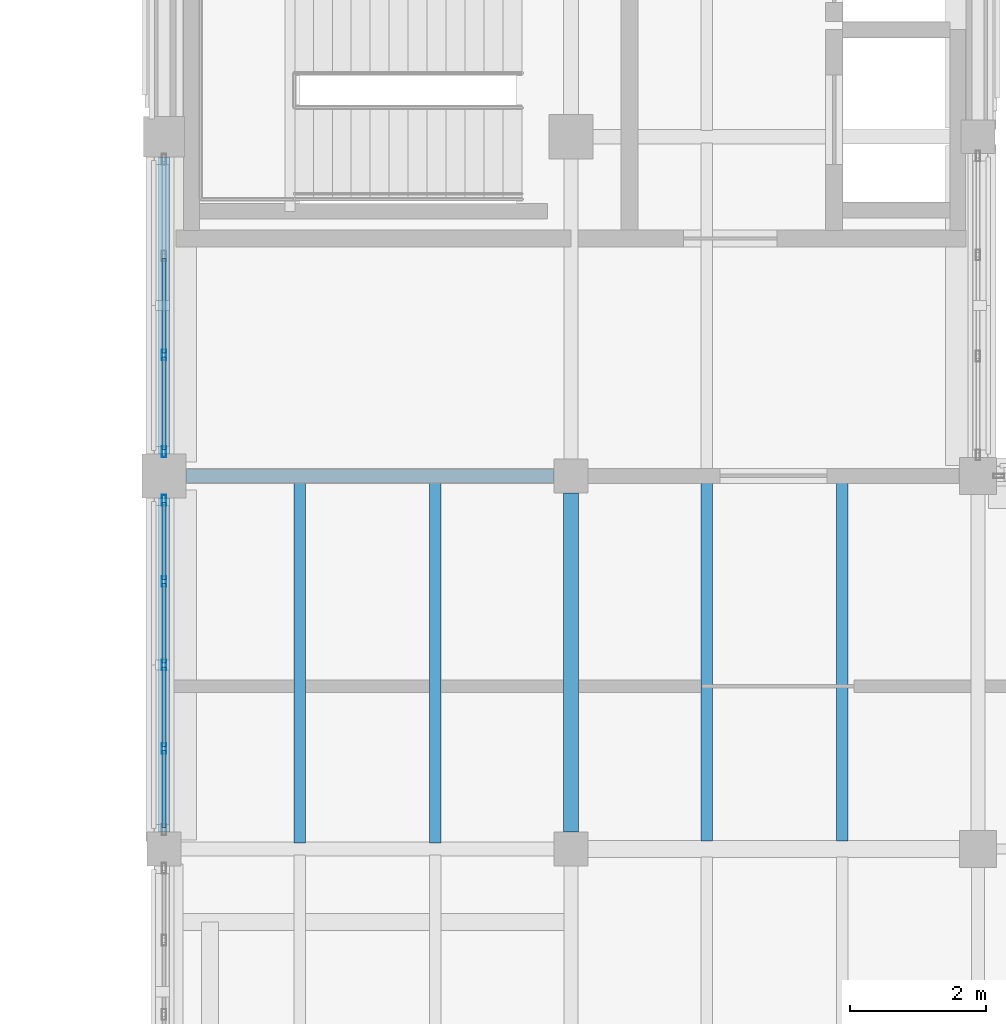
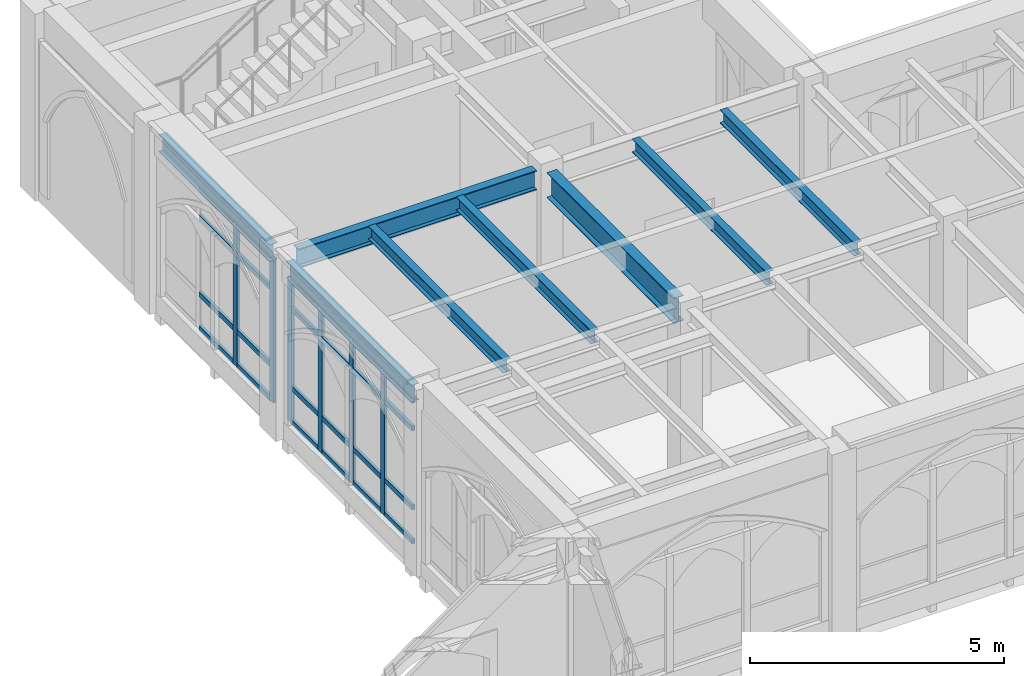
# One storey, part 23 of 143: 30 members, 8 beams, 2 elements without a shape of their own.
"""IFC4 building model written with IfcOpenShell, lengths in metres."""

from ifc_helpers import new_model, si_unit, direction, frame, origin, origin_2d, place, context, subcontext, project, spatial, hollow_rectangle, i_section, extrude, material, layer, layer_set, material_profile, profile_set, type_object, element, aggregate, save


model = new_model("IFC4")

# Units and contexts
model_context = context("Model", 3, precision=1e-05, world=origin(), true_north=direction((0.0, 1.0)))
body_context = subcontext(model_context, "Body", "Model", "MODEL_VIEW")
ifc_project = project(units=[si_unit("LENGTHUNIT", "METRE"), si_unit("AREAUNIT", "SQUARE_METRE"), si_unit("VOLUMEUNIT", "CUBIC_METRE"), si_unit("PLANEANGLEUNIT", "RADIAN"), si_unit("MASSUNIT", "GRAM", prefix="KILO")], contexts=[model_context])

# Site, building, storey
site_placement = place(None, origin())
site = spatial("IfcSite", under=ifc_project, at=site_placement, CompositionType="ELEMENT")
building_placement = place(site_placement, origin())
building = spatial("IfcBuilding", under=site, at=building_placement, Name="Cumevento Cable Car Station", CompositionType="ELEMENT")
storey_placement = place(building_placement, frame((0.0, 0.0, 9.0)))
storey = spatial("IfcBuildingStorey", under=building, at=storey_placement, Name="L03", CompositionType="ELEMENT", Elevation=9.0)

# Curtain wall, members
ifc_material_1 = material(Name="Anodised Bronze Aluminium AW-6063-T6", Category="aluminium")
ifc_layer_1 = layer(ifc_material_1, 0.18994140625)
ifc_layer_set_1 = layer_set([ifc_layer_1], Name="Anodised Bronze Aluminium AW-6063-T6")
curtain_wall_type_1 = type_object("IfcCurtainWallType", Name="Lancet Curtain Wall CW-06 1250", PredefinedType="NOTDEFINED", material=ifc_layer_set_1)
curtain_wall_1_placement = place(storey_placement, origin())
curtain_wall_1 = element("IfcCurtainWall", 1, at=curtain_wall_1_placement, inside=storey, type_object=curtain_wall_type_1, Name="Lancet Curtain Wall CW-06 L03 #101", PredefinedType="NOTDEFINED")
ifc_material_2 = material(Name="Anodised Bronze Aluminium AW-6063-T6", Category="aluminium")
ifc_material_profile_1 = material_profile(ifc_material_2, hollow_rectangle(XDim=0.06494140625, YDim=0.159912109375, WallThickness=0.00390625, at=origin_2d()), Name="ALUM65x160x4")
ifc_profile_set_1 = profile_set([ifc_material_profile_1], Name="Anodised Bronze Aluminium AW-6063-T6")
member_type_1 = type_object("IfcMemberType", Name="Curtain Mullion CWM-01 ALUM65x160x4", PredefinedType="MULLION", material=ifc_profile_set_1)
member_1_placement = place(storey_placement, frame((22.0, 52.481201171875, 0.409912109375), z_axis=(0.0, 0.0, 1.0), x_axis=(-1.0, 0.0, 0.0)))
member_1 = element("IfcMember", 2, at=member_1_placement, type_object=member_type_1, Name="CW-06 mullion 2", PredefinedType="MULLION", context=body_context, shape_type="SweptSolid", body=[
    extrude(hollow_rectangle(XDim=0.06494140625, YDim=0.159912109375, WallThickness=0.00390625, at=origin_2d()), origin(), (0.0, 0.0, 1.0), 3.447021484375),
])
member_2_placement = place(storey_placement, frame((22.0, 53.71240234375, 0.409912109375), z_axis=(0.0, 0.0, 1.0), x_axis=(-1.0, 0.0, 0.0)))
member_2 = element("IfcMember", 3, at=member_2_placement, type_object=member_type_1, Name="CW-06 mullion 3", PredefinedType="MULLION", context=body_context, shape_type="SweptSolid", body=[
    extrude(hollow_rectangle(XDim=0.06494140625, YDim=0.159912109375, WallThickness=0.00390625, at=origin_2d()), origin(), (0.0, 0.0, 1.0), 3.447021484375),
])
member_3_placement = place(storey_placement, frame((22.0, 54.94384765625, 0.409912109375), z_axis=(0.0, 0.0, 1.0), x_axis=(-1.0, 0.0, 0.0)))
member_3 = element("IfcMember", 4, at=member_3_placement, type_object=member_type_1, Name="CW-06 mullion 4", PredefinedType="MULLION", context=body_context, shape_type="SweptSolid", body=[
    extrude(hollow_rectangle(XDim=0.06494140625, YDim=0.159912109375, WallThickness=0.00390625, at=origin_2d()), origin(), (0.0, 0.0, 1.0), 3.447021484375),
])
member_4_placement = place(storey_placement, frame((22.0, 56.142578125, 0.409912109375), z_axis=(0.0, 0.0, 1.0), x_axis=(-1.0, 0.0, 0.0)))
member_4 = element("IfcMember", 5, at=member_4_placement, type_object=member_type_1, Name="CW-06 mullion 5", PredefinedType="MULLION", context=body_context, shape_type="SweptSolid", body=[
    extrude(hollow_rectangle(XDim=0.06494140625, YDim=0.159912109375, WallThickness=0.00390625, at=origin_2d()), origin(), (0.0, 0.0, 1.0), 3.447021484375),
])

ifc_material_3 = material(Name="Anodised Bronze Aluminium AW-6063-T6", Category="aluminium")
ifc_layer_2 = layer(ifc_material_3, 0.196044921875)
ifc_layer_set_2 = layer_set([ifc_layer_2], Name="Anodised Bronze Aluminium AW-6063-T6")
curtain_wall_type_2 = type_object("IfcCurtainWallType", Name="Lancet Curtain Wall CW-07 1290", PredefinedType="NOTDEFINED", material=ifc_layer_set_2)
curtain_wall_2_placement = place(storey_placement, origin())
curtain_wall_2 = element("IfcCurtainWall", 6, at=curtain_wall_2_placement, inside=storey, type_object=curtain_wall_type_2, Name="Lancet Curtain Wall CW-07 L03 #102", PredefinedType="NOTDEFINED")
member_5_placement = place(storey_placement, frame((22.0, 56.857421875, 0.4599609375), z_axis=(0.0, 0.0, 1.0), x_axis=(-1.0, 0.0, 0.0)))
member_5 = element("IfcMember", 7, at=member_5_placement, type_object=member_type_1, Name="CW-07 mullion 1", PredefinedType="MULLION", context=body_context, shape_type="SweptSolid", body=[
    extrude(hollow_rectangle(XDim=0.06494140625, YDim=0.159912109375, WallThickness=0.00390625, at=origin_2d()), origin(), (0.0, 0.0, 1.0), 3.39697265625),
])
member_6_placement = place(storey_placement, frame((22.0, 58.283447265625, 0.4599609375), z_axis=(0.0, 0.0, 1.0), x_axis=(-1.0, 0.0, 0.0)))
member_6 = element("IfcMember", 8, at=member_6_placement, type_object=member_type_1, Name="CW-07 mullion 2", PredefinedType="MULLION", context=body_context, shape_type="SweptSolid", body=[
    extrude(hollow_rectangle(XDim=0.06494140625, YDim=0.159912109375, WallThickness=0.00390625, at=origin_2d()), origin(), (0.0, 0.0, 1.0), 3.39697265625),
])

# Member
ifc_material_4 = material(Name="Anodised Bronze Aluminium AW-6063-T6", Category="aluminium")
ifc_material_profile_2 = material_profile(ifc_material_4, hollow_rectangle(XDim=0.06494140625, YDim=0.1201171875, WallThickness=0.00390625, at=origin_2d()), Name="ALUT65x120x4")
ifc_profile_set_2 = profile_set([ifc_material_profile_2], Name="Anodised Bronze Aluminium AW-6063-T6")
member_type_2 = type_object("IfcMemberType", Name="Curtain Transom CWT-01 ALUT65x120x4", PredefinedType="USERDEFINED", material=ifc_profile_set_2)
member_7_placement = place(storey_placement, frame((22.0, 51.31494140625, 0.4423828125), z_axis=(0.0, 1.0, 0.0), x_axis=(-1.0, 0.0, 0.0)))
member_7 = element("IfcMember", 9, at=member_7_placement, type_object=member_type_2, Name="CW-06 transom 1.1", ObjectType="TRANSOM", PredefinedType="USERDEFINED", context=body_context, shape_type="SweptSolid", body=[
    extrude(hollow_rectangle(XDim=0.06494140625, YDim=0.1201171875, WallThickness=0.00390625, at=origin_2d()), origin(), (0.0, 0.0, 1.0), 1.1337890625),
])

member_8_placement = place(storey_placement, frame((22.0, 51.31494140625, 1.260009765625), z_axis=(0.0, 1.0, 0.0), x_axis=(-1.0, 0.0, 0.0)))
member_8 = element("IfcMember", 10, at=member_8_placement, type_object=member_type_2, Name="CW-06 transom 1.2", ObjectType="TRANSOM", PredefinedType="USERDEFINED", context=body_context, shape_type="SweptSolid", body=[
    extrude(hollow_rectangle(XDim=0.06494140625, YDim=0.1201171875, WallThickness=0.00390625, at=origin_2d()), origin(), (0.0, 0.0, 1.0), 1.1337890625),
])

member_9_placement = place(storey_placement, frame((22.0, 51.31494140625, 3.156982421875), z_axis=(0.0, 1.0, 0.0), x_axis=(-1.0, 0.0, 0.0)))
member_9 = element("IfcMember", 11, at=member_9_placement, type_object=member_type_2, Name="CW-06 transom 1.3", ObjectType="TRANSOM", PredefinedType="USERDEFINED", context=body_context, shape_type="SweptSolid", body=[
    extrude(hollow_rectangle(XDim=0.06494140625, YDim=0.1201171875, WallThickness=0.00390625, at=origin_2d()), origin(), (0.0, 0.0, 1.0), 1.1337890625),
])

member_10_placement = place(storey_placement, frame((22.0, 51.31494140625, 3.824462890625), z_axis=(0.0, 1.0, 0.0), x_axis=(-1.0, 0.0, 0.0)))
member_10 = element("IfcMember", 12, at=member_10_placement, type_object=member_type_2, Name="CW-06 transom 1.4", ObjectType="TRANSOM", PredefinedType="USERDEFINED", context=body_context, shape_type="SweptSolid", body=[
    extrude(hollow_rectangle(XDim=0.06494140625, YDim=0.1201171875, WallThickness=0.00390625, at=origin_2d()), origin(), (0.0, 0.0, 1.0), 1.1337890625),
])

member_11_placement = place(storey_placement, frame((22.0, 52.513671875, 0.4423828125), z_axis=(0.0, 1.0, 0.0), x_axis=(-1.0, 0.0, 0.0)))
member_11 = element("IfcMember", 13, at=member_11_placement, type_object=member_type_2, Name="CW-06 transom 2.1", ObjectType="TRANSOM", PredefinedType="USERDEFINED", context=body_context, shape_type="SweptSolid", body=[
    extrude(hollow_rectangle(XDim=0.06494140625, YDim=0.1201171875, WallThickness=0.00390625, at=origin_2d()), origin(), (0.0, 0.0, 1.0), 1.166259765625),
])

member_12_placement = place(storey_placement, frame((22.0, 52.513671875, 1.260009765625), z_axis=(0.0, 1.0, 0.0), x_axis=(-1.0, 0.0, 0.0)))
member_12 = element("IfcMember", 14, at=member_12_placement, type_object=member_type_2, Name="CW-06 transom 2.2", ObjectType="TRANSOM", PredefinedType="USERDEFINED", context=body_context, shape_type="SweptSolid", body=[
    extrude(hollow_rectangle(XDim=0.06494140625, YDim=0.1201171875, WallThickness=0.00390625, at=origin_2d()), origin(), (0.0, 0.0, 1.0), 1.166259765625),
])

member_13_placement = place(storey_placement, frame((22.0, 52.513671875, 3.156982421875), z_axis=(0.0, 1.0, 0.0), x_axis=(-1.0, 0.0, 0.0)))
member_13 = element("IfcMember", 15, at=member_13_placement, type_object=member_type_2, Name="CW-06 transom 2.3", ObjectType="TRANSOM", PredefinedType="USERDEFINED", context=body_context, shape_type="SweptSolid", body=[
    extrude(hollow_rectangle(XDim=0.06494140625, YDim=0.1201171875, WallThickness=0.00390625, at=origin_2d()), origin(), (0.0, 0.0, 1.0), 1.166259765625),
])

member_14_placement = place(storey_placement, frame((22.0, 52.513671875, 3.824462890625), z_axis=(0.0, 1.0, 0.0), x_axis=(-1.0, 0.0, 0.0)))
member_14 = element("IfcMember", 16, at=member_14_placement, type_object=member_type_2, Name="CW-06 transom 2.4", ObjectType="TRANSOM", PredefinedType="USERDEFINED", context=body_context, shape_type="SweptSolid", body=[
    extrude(hollow_rectangle(XDim=0.06494140625, YDim=0.1201171875, WallThickness=0.00390625, at=origin_2d()), origin(), (0.0, 0.0, 1.0), 1.166259765625),
])

member_15_placement = place(storey_placement, frame((22.0, 53.7451171875, 0.4423828125), z_axis=(0.0, 1.0, 0.0), x_axis=(-1.0, 0.0, 0.0)))
member_15 = element("IfcMember", 17, at=member_15_placement, type_object=member_type_2, Name="CW-06 transom 3.1", ObjectType="TRANSOM", PredefinedType="USERDEFINED", context=body_context, shape_type="SweptSolid", body=[
    extrude(hollow_rectangle(XDim=0.06494140625, YDim=0.1201171875, WallThickness=0.00390625, at=origin_2d()), origin(), (0.0, 0.0, 1.0), 1.166015625),
])

member_16_placement = place(storey_placement, frame((22.0, 53.7451171875, 1.260009765625), z_axis=(0.0, 1.0, 0.0), x_axis=(-1.0, 0.0, 0.0)))
member_16 = element("IfcMember", 18, at=member_16_placement, type_object=member_type_2, Name="CW-06 transom 3.2", ObjectType="TRANSOM", PredefinedType="USERDEFINED", context=body_context, shape_type="SweptSolid", body=[
    extrude(hollow_rectangle(XDim=0.06494140625, YDim=0.1201171875, WallThickness=0.00390625, at=origin_2d()), origin(), (0.0, 0.0, 1.0), 1.166015625),
])

member_17_placement = place(storey_placement, frame((22.0, 53.7451171875, 3.156982421875), z_axis=(0.0, 1.0, 0.0), x_axis=(-1.0, 0.0, 0.0)))
member_17 = element("IfcMember", 19, at=member_17_placement, type_object=member_type_2, Name="CW-06 transom 3.3", ObjectType="TRANSOM", PredefinedType="USERDEFINED", context=body_context, shape_type="SweptSolid", body=[
    extrude(hollow_rectangle(XDim=0.06494140625, YDim=0.1201171875, WallThickness=0.00390625, at=origin_2d()), origin(), (0.0, 0.0, 1.0), 1.166015625),
])

member_18_placement = place(storey_placement, frame((22.0, 53.7451171875, 3.824462890625), z_axis=(0.0, 1.0, 0.0), x_axis=(-1.0, 0.0, 0.0)))
member_18 = element("IfcMember", 20, at=member_18_placement, type_object=member_type_2, Name="CW-06 transom 3.4", ObjectType="TRANSOM", PredefinedType="USERDEFINED", context=body_context, shape_type="SweptSolid", body=[
    extrude(hollow_rectangle(XDim=0.06494140625, YDim=0.1201171875, WallThickness=0.00390625, at=origin_2d()), origin(), (0.0, 0.0, 1.0), 1.166015625),
])

member_19_placement = place(storey_placement, frame((22.0, 54.976318359375, 0.4423828125), z_axis=(0.0, 1.0, 0.0), x_axis=(-1.0, 0.0, 0.0)))
member_19 = element("IfcMember", 21, at=member_19_placement, type_object=member_type_2, Name="CW-06 transom 4.1", ObjectType="TRANSOM", PredefinedType="USERDEFINED", context=body_context, shape_type="SweptSolid", body=[
    extrude(hollow_rectangle(XDim=0.06494140625, YDim=0.1201171875, WallThickness=0.00390625, at=origin_2d()), origin(), (0.0, 0.0, 1.0), 1.1337890625),
])

member_20_placement = place(storey_placement, frame((22.0, 54.976318359375, 1.260009765625), z_axis=(0.0, 1.0, 0.0), x_axis=(-1.0, 0.0, 0.0)))
member_20 = element("IfcMember", 22, at=member_20_placement, type_object=member_type_2, Name="CW-06 transom 4.2", ObjectType="TRANSOM", PredefinedType="USERDEFINED", context=body_context, shape_type="SweptSolid", body=[
    extrude(hollow_rectangle(XDim=0.06494140625, YDim=0.1201171875, WallThickness=0.00390625, at=origin_2d()), origin(), (0.0, 0.0, 1.0), 1.1337890625),
])

member_21_placement = place(storey_placement, frame((22.0, 54.976318359375, 3.156982421875), z_axis=(0.0, 1.0, 0.0), x_axis=(-1.0, 0.0, 0.0)))
member_21 = element("IfcMember", 23, at=member_21_placement, type_object=member_type_2, Name="CW-06 transom 4.3", ObjectType="TRANSOM", PredefinedType="USERDEFINED", context=body_context, shape_type="SweptSolid", body=[
    extrude(hollow_rectangle(XDim=0.06494140625, YDim=0.1201171875, WallThickness=0.00390625, at=origin_2d()), origin(), (0.0, 0.0, 1.0), 1.1337890625),
])

member_22_placement = place(storey_placement, frame((22.0, 54.976318359375, 3.824462890625), z_axis=(0.0, 1.0, 0.0), x_axis=(-1.0, 0.0, 0.0)))
member_22 = element("IfcMember", 24, at=member_22_placement, type_object=member_type_2, Name="CW-06 transom 4.4", ObjectType="TRANSOM", PredefinedType="USERDEFINED", context=body_context, shape_type="SweptSolid", body=[
    extrude(hollow_rectangle(XDim=0.06494140625, YDim=0.1201171875, WallThickness=0.00390625, at=origin_2d()), origin(), (0.0, 0.0, 1.0), 1.1337890625),
])

aggregate(curtain_wall_1, [member_1, member_2, member_3, member_4, member_7, member_8, member_9, member_10, member_11, member_12, member_13, member_14, member_15, member_16, member_17, member_18, member_19, member_20, member_21, member_22])

member_23_placement = place(storey_placement, frame((22.0, 56.889892578125, 0.492431640625), z_axis=(0.0, 1.0, 0.0), x_axis=(-1.0, 0.0, 0.0)))
member_23 = element("IfcMember", 25, at=member_23_placement, type_object=member_type_2, Name="CW-07 transom 1.1", ObjectType="TRANSOM", PredefinedType="USERDEFINED", context=body_context, shape_type="SweptSolid", body=[
    extrude(hollow_rectangle(XDim=0.06494140625, YDim=0.1201171875, WallThickness=0.00390625, at=origin_2d()), origin(), (0.0, 0.0, 1.0), 1.36083984375),
])

member_24_placement = place(storey_placement, frame((22.0, 56.889892578125, 1.31005859375), z_axis=(0.0, 1.0, 0.0), x_axis=(-1.0, 0.0, 0.0)))
member_24 = element("IfcMember", 26, at=member_24_placement, type_object=member_type_2, Name="CW-07 transom 1.2", ObjectType="TRANSOM", PredefinedType="USERDEFINED", context=body_context, shape_type="SweptSolid", body=[
    extrude(hollow_rectangle(XDim=0.06494140625, YDim=0.1201171875, WallThickness=0.00390625, at=origin_2d()), origin(), (0.0, 0.0, 1.0), 1.36083984375),
])

member_25_placement = place(storey_placement, frame((22.0, 56.889892578125, 3.156982421875), z_axis=(0.0, 1.0, 0.0), x_axis=(-1.0, 0.0, 0.0)))
member_25 = element("IfcMember", 27, at=member_25_placement, type_object=member_type_2, Name="CW-07 transom 1.3", ObjectType="TRANSOM", PredefinedType="USERDEFINED", context=body_context, shape_type="SweptSolid", body=[
    extrude(hollow_rectangle(XDim=0.06494140625, YDim=0.1201171875, WallThickness=0.00390625, at=origin_2d()), origin(), (0.0, 0.0, 1.0), 1.36083984375),
])

member_26_placement = place(storey_placement, frame((22.0, 56.889892578125, 3.824462890625), z_axis=(0.0, 1.0, 0.0), x_axis=(-1.0, 0.0, 0.0)))
member_26 = element("IfcMember", 28, at=member_26_placement, type_object=member_type_2, Name="CW-07 transom 1.4", ObjectType="TRANSOM", PredefinedType="USERDEFINED", context=body_context, shape_type="SweptSolid", body=[
    extrude(hollow_rectangle(XDim=0.06494140625, YDim=0.1201171875, WallThickness=0.00390625, at=origin_2d()), origin(), (0.0, 0.0, 1.0), 1.36083984375),
])

member_27_placement = place(storey_placement, frame((22.0, 58.31591796875, 0.492431640625), z_axis=(0.0, 1.0, 0.0), x_axis=(-1.0, 0.0, 0.0)))
member_27 = element("IfcMember", 29, at=member_27_placement, type_object=member_type_2, Name="CW-07 transom 2.1", ObjectType="TRANSOM", PredefinedType="USERDEFINED", context=body_context, shape_type="SweptSolid", body=[
    extrude(hollow_rectangle(XDim=0.06494140625, YDim=0.1201171875, WallThickness=0.00390625, at=origin_2d()), origin(), (0.0, 0.0, 1.0), 1.393310546875),
])

member_28_placement = place(storey_placement, frame((22.0, 58.31591796875, 1.31005859375), z_axis=(0.0, 1.0, 0.0), x_axis=(-1.0, 0.0, 0.0)))
member_28 = element("IfcMember", 30, at=member_28_placement, type_object=member_type_2, Name="CW-07 transom 2.2", ObjectType="TRANSOM", PredefinedType="USERDEFINED", context=body_context, shape_type="SweptSolid", body=[
    extrude(hollow_rectangle(XDim=0.06494140625, YDim=0.1201171875, WallThickness=0.00390625, at=origin_2d()), origin(), (0.0, 0.0, 1.0), 1.393310546875),
])

member_29_placement = place(storey_placement, frame((22.0, 58.31591796875, 3.156982421875), z_axis=(0.0, 1.0, 0.0), x_axis=(-1.0, 0.0, 0.0)))
member_29 = element("IfcMember", 31, at=member_29_placement, type_object=member_type_2, Name="CW-07 transom 2.3", ObjectType="TRANSOM", PredefinedType="USERDEFINED", context=body_context, shape_type="SweptSolid", body=[
    extrude(hollow_rectangle(XDim=0.06494140625, YDim=0.1201171875, WallThickness=0.00390625, at=origin_2d()), origin(), (0.0, 0.0, 1.0), 1.393310546875),
])

member_30_placement = place(storey_placement, frame((22.0, 58.31591796875, 3.824462890625), z_axis=(0.0, 1.0, 0.0), x_axis=(-1.0, 0.0, 0.0)))
member_30 = element("IfcMember", 32, at=member_30_placement, type_object=member_type_2, Name="CW-07 transom 2.4", ObjectType="TRANSOM", PredefinedType="USERDEFINED", context=body_context, shape_type="SweptSolid", body=[
    extrude(hollow_rectangle(XDim=0.06494140625, YDim=0.1201171875, WallThickness=0.00390625, at=origin_2d()), origin(), (0.0, 0.0, 1.0), 1.393310546875),
])

aggregate(curtain_wall_2, [member_5, member_6, member_23, member_24, member_25, member_26, member_27, member_28, member_29, member_30])

# Beams
ifc_material_5 = material(Name="Steel ASTM A572 Grade 50", Category="steel")
ifc_material_profile_3 = material_profile(ifc_material_5, i_section(OverallWidth=0.22802734375, OverallDepth=0.60791015625, WebThickness=0.01123046875, FlangeThickness=0.017333984375, at=origin_2d()), Name="W610x113.0")
ifc_profile_set_3 = profile_set([ifc_material_profile_3], Name="Steel ASTM A572 Grade 50")
beam_type_1 = type_object("IfcBeamType", Name="Structural Beam BM-02 W610x113.0", PredefinedType="BEAM", material=ifc_profile_set_3)
beam_1_placement = place(storey_placement, frame((28.0, 51.25, 3.9599609375), z_axis=(0.0, 1.0, 0.0), x_axis=(-1.0, 0.0, 0.0)))
element("IfcBeam", 33, at=beam_1_placement, inside=storey, type_object=beam_type_1, Name="Beam BM-02 L03 #1039", PredefinedType="BEAM", context=body_context, shape_type="SweptSolid", body=[
    extrude(i_section(OverallWidth=0.22802734375, OverallDepth=0.60791015625, WebThickness=0.01123046875, FlangeThickness=0.017333984375, at=origin_2d()), origin(), (0.0, 0.0, 1.0), 5.0),
])
ifc_material_6 = material(Name="Steel ASTM A572 Grade 50", Category="steel")
ifc_material_profile_4 = material_profile(ifc_material_6, i_section(OverallWidth=0.19189453125, OverallDepth=0.462890625, WebThickness=0.010498046875, FlangeThickness=0.017578125, at=origin_2d()), Name="W460x89.0")
ifc_profile_set_4 = profile_set([ifc_material_profile_4], Name="Steel ASTM A572 Grade 50")
beam_type_2 = type_object("IfcBeamType", Name="Structural Beam BM-10 W460x89.0", PredefinedType="BEAM", material=ifc_profile_set_4)
beam_2_placement = place(storey_placement, frame((22.324951171875, 56.5, 4.032470703125), z_axis=(1.0, 0.0, 0.0), x_axis=(0.0, 1.0, 0.0)))
element("IfcBeam", 34, at=beam_2_placement, inside=storey, type_object=beam_type_2, Name="Beam BM-10 L03 #1031", PredefinedType="BEAM", context=body_context, shape_type="SweptSolid", body=[
    extrude(i_section(OverallWidth=0.19189453125, OverallDepth=0.462890625, WebThickness=0.010498046875, FlangeThickness=0.017578125, at=origin_2d()), origin(), (0.0, 0.0, 1.0), 5.425048828125),
])
ifc_material_7 = material(Name="Steel ASTM A572 Grade 50", Category="steel")
ifc_material_profile_5 = material_profile(ifc_material_7, i_section(OverallWidth=0.1669921875, OverallDepth=0.31689453125, WebThickness=0.007568359375, FlangeThickness=0.01318359375, at=origin_2d()), Name="W310x52.0")
ifc_profile_set_5 = profile_set([ifc_material_profile_5], Name="Steel ASTM A572 Grade 50")
beam_type_3 = type_object("IfcBeamType", Name="Structural Joist JS-02 W310x52.0", PredefinedType="JOIST", material=ifc_profile_set_5)
for number, where, z_axis, x_axis, name in (
    (35, (24.0, 51.090576171875, 4.10546875), (0.0, 1.0, 0.0), (-1.0, 0.0, 0.0), "Composite Floor Joist JS-02 L03 #1219"),
    (36, (26.0, 51.090576171875, 4.10546875), (0.0, 1.0, 0.0), (-1.0, 0.0, 0.0), "Composite Floor Joist JS-02 L03 #1221"),
):
    element("IfcBeam", number, at=place(storey_placement, frame(where, z_axis=z_axis, x_axis=x_axis)), inside=storey, type_object=beam_type_3, Name=name, PredefinedType="JOIST", context=body_context, shape_type="SweptSolid", body=[
        extrude(i_section(OverallWidth=0.1669921875, OverallDepth=0.31689453125, WebThickness=0.007568359375, FlangeThickness=0.01318359375, at=origin_2d()), origin(), (0.0, 0.0, 1.0), 5.325439453125),
    ])
for number, where, z_axis, x_axis, name in (
    (37, (30.0, 51.114990234375, 4.10546875), (0.0, 1.0, 0.0), (-1.0, 0.0, 0.0), "Composite Floor Joist JS-02 L03 #1223"),
    (38, (32.0, 51.114990234375, 4.10546875), (0.0, 1.0, 0.0), (-1.0, 0.0, 0.0), "Composite Floor Joist JS-02 L03 #1225"),
):
    element("IfcBeam", number, at=place(storey_placement, frame(where, z_axis=z_axis, x_axis=x_axis)), inside=storey, type_object=beam_type_3, Name=name, PredefinedType="JOIST", context=body_context, shape_type="SweptSolid", body=[
        extrude(i_section(OverallWidth=0.1669921875, OverallDepth=0.31689453125, WebThickness=0.007568359375, FlangeThickness=0.01318359375, at=origin_2d()), origin(), (0.0, 0.0, 1.0), 5.29150390625),
    ])
ifc_material_8 = material(Name="Steel ASTM A572 Grade 50", Category="steel")
ifc_material_profile_6 = material_profile(ifc_material_8, i_section(OverallWidth=0.177978515625, OverallDepth=0.406982421875, WebThickness=0.0078125, FlangeThickness=0.0126953125, at=origin_2d()), Name="W410x60.0")
ifc_profile_set_6 = profile_set([ifc_material_profile_6], Name="Steel ASTM A572 Grade 50")
beam_type_4 = type_object("IfcBeamType", Name="Structural Spandrel SP-01 W410x60.0", PredefinedType="SPANDREL", material=ifc_profile_set_6)
beam_3_placement = place(storey_placement, frame((22.0, 51.25, 4.060546875), z_axis=(0.0, 1.0, 0.0), x_axis=(-1.0, 0.0, 0.0)))
element("IfcBeam", 39, at=beam_3_placement, inside=storey, type_object=beam_type_4, Name="Beam SP-01 L03 #1037", PredefinedType="SPANDREL", context=body_context, shape_type="SweptSolid", body=[
    extrude(i_section(OverallWidth=0.177978515625, OverallDepth=0.406982421875, WebThickness=0.0078125, FlangeThickness=0.0126953125, at=origin_2d()), origin(), (0.0, 0.0, 1.0), 4.925048828125),
])
beam_4_placement = place(storey_placement, frame((22.0, 56.824951171875, 4.060546875), z_axis=(0.0, 1.0, 0.0), x_axis=(-1.0, 0.0, 0.0)))
element("IfcBeam", 40, at=beam_4_placement, inside=storey, type_object=beam_type_4, Name="Beam SP-01 L03 #1051", PredefinedType="SPANDREL", context=body_context, shape_type="SweptSolid", body=[
    extrude(i_section(OverallWidth=0.177978515625, OverallDepth=0.406982421875, WebThickness=0.0078125, FlangeThickness=0.0126953125, at=origin_2d()), origin(), (0.0, 0.0, 1.0), 4.375),
])

save(model, "model.ifc")
